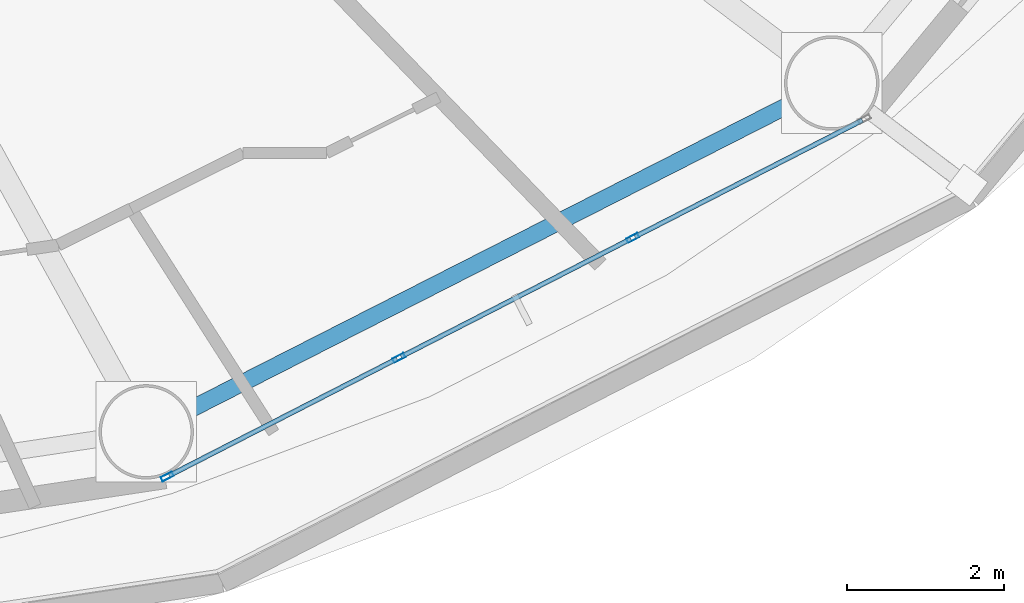
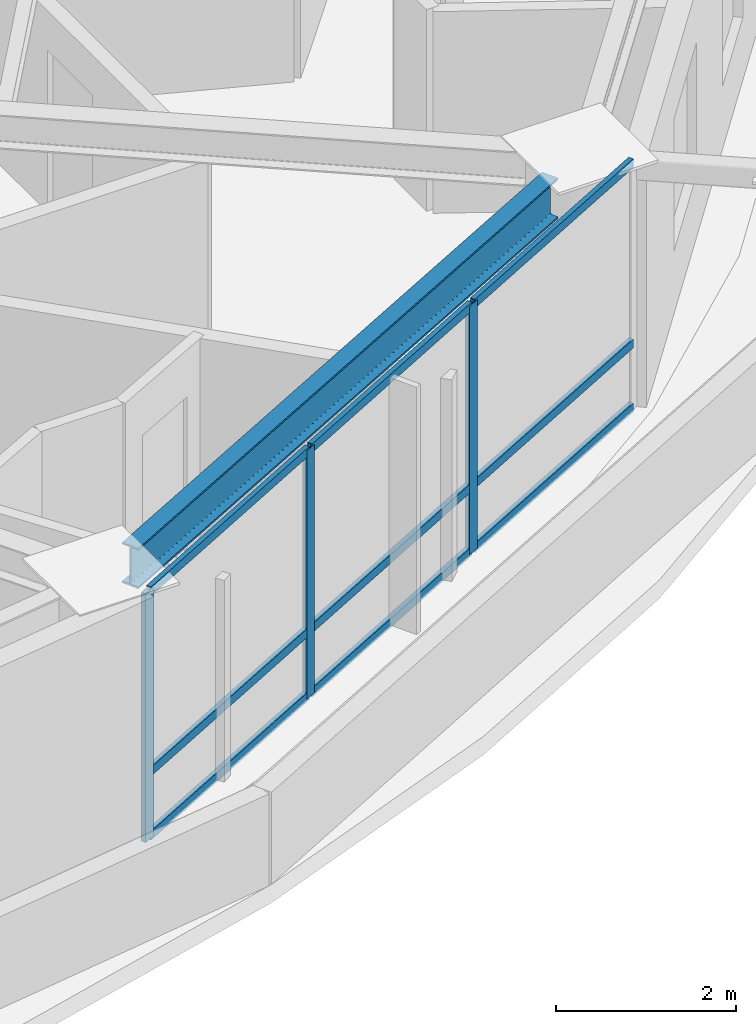
# One storey, part 5 of 27: 12 members, 1 beam, 1 element without a shape of its own.
"""IFC4 building model written with IfcOpenShell, lengths in metres."""

from ifc_helpers import new_model, si_unit, direction, frame, origin, origin_2d, place, context, subcontext, project, spatial, hollow_rectangle, i_section, extrude, material, layer, layer_set, material_profile, profile_set, type_object, element, aggregate, save


model = new_model("IFC4")

# Units and contexts
model_context = context("Model", 3, precision=1e-05, world=origin(), true_north=direction((0.0, 1.0)))
body_context = subcontext(model_context, "Body", "Model", "MODEL_VIEW")
ifc_project = project(units=[si_unit("LENGTHUNIT", "METRE"), si_unit("AREAUNIT", "SQUARE_METRE"), si_unit("VOLUMEUNIT", "CUBIC_METRE"), si_unit("PLANEANGLEUNIT", "RADIAN"), si_unit("MASSUNIT", "GRAM", prefix="KILO")], contexts=[model_context])

# Site, building, storey
site_placement = place(None, origin())
site = spatial("IfcSite", under=ifc_project, at=site_placement, CompositionType="ELEMENT")
building_placement = place(site_placement, origin())
building = spatial("IfcBuilding", under=site, at=building_placement, Name="Sarneth Arch Tower", CompositionType="ELEMENT")
storey_placement = place(building_placement, frame((0.0, 0.0, 150.60009765625)))
storey = spatial("IfcBuildingStorey", under=building, at=storey_placement, Name="L37", CompositionType="ELEMENT", Elevation=150.60009765625)

# Beam
ifc_material_1 = material(Name="Steel S355", Category="steel")
ifc_material_profile_1 = material_profile(ifc_material_1, i_section(OverallWidth=0.214111328125, OverallDepth=0.549072265625, WebThickness=0.0146484375, FlangeThickness=0.023681640625, FilletRadius=0.01806640625, at=origin_2d()), Name="W530x138")
ifc_profile_set_1 = profile_set([ifc_material_profile_1], Name="Steel S355")
beam_type = type_object("IfcBeamType", Name="BM-RAD-530A", PredefinedType="BEAM", material=ifc_profile_set_1)
beam_placement = place(storey_placement, frame((58.95654296875, 23.378662109375, 3.10546875), z_axis=(0.891250372735, 0.453511601945, 0.0), x_axis=(-0.453511601945, 0.891250372735, 0.0)))
element("IfcBeam", 1, at=beam_placement, inside=storey, type_object=beam_type, Name="L37 Perimeter spandrel beam 14", PredefinedType="BEAM", context=body_context, shape_type="SweptSolid", body=[
    extrude(i_section(OverallWidth=0.214111328125, OverallDepth=0.549072265625, WebThickness=0.0146484375, FlangeThickness=0.023681640625, FilletRadius=0.01806640625, at=origin_2d()), origin(), (0.0, 0.0, 1.0), 8.5751953125),
])

# Curtain wall, members
ifc_material_2 = material(Name="Anodised aluminium Type AA25 and solar-control low-e laminated IGU", Category="aluminium")
ifc_layer = layer(ifc_material_2, 0.169921875)
ifc_layer_set = layer_set([ifc_layer], Name="Anodised aluminium Type AA25 and solar-control low-e laminated IGU")
curtain_wall_type = type_object("IfcCurtainWallType", Name="CW-RES-MID", PredefinedType="NOTDEFINED", material=ifc_layer_set)
curtain_wall_placement = place(storey_placement, origin())
curtain_wall = element("IfcCurtainWall", 2, at=curtain_wall_placement, inside=storey, type_object=curtain_wall_type, Name="L37 Unitised curtain wall facet 14", PredefinedType="NOTDEFINED")
ifc_material_3 = material(Name="Anodised Aluminium 6063-T6", Category="aluminium")
ifc_material_profile_2 = material_profile(ifc_material_3, hollow_rectangle(XDim=0.06005859375, YDim=0.159912109375, WallThickness=0.00390625, at=origin_2d()), Name="AL-MULL-160x60x4")
ifc_profile_set_2 = profile_set([ifc_material_profile_2], Name="Anodised Aluminium 6063-T6")
member_type_1 = type_object("IfcMemberType", Name="CW-MULLION", PredefinedType="MULLION", material=ifc_profile_set_2)
member_1_placement = place(storey_placement, frame((58.689453125, 22.538330078125, 0.0), z_axis=(0.0, 0.0, 1.0), x_axis=(-0.456208470329, 0.88987293003, 0.0)))
member_1 = element("IfcMember", 3, at=member_1_placement, type_object=member_type_1, Name="CW-SYS-5 mullion 1", PredefinedType="MULLION", context=body_context, shape_type="SweptSolid", body=[
    extrude(hollow_rectangle(XDim=0.06005859375, YDim=0.159912109375, WallThickness=0.00390625, at=origin_2d()), origin(), (0.0, 0.0, 1.0), 3.3798828125),
])
member_2_placement = place(storey_placement, frame((61.634033203125, 24.0478515625, 0.0), z_axis=(0.0, 0.0, 1.0), x_axis=(-0.456208470329, 0.88987293003, 0.0)))
member_2 = element("IfcMember", 4, at=member_2_placement, type_object=member_type_1, Name="CW-SYS-5 mullion 2", PredefinedType="MULLION", context=body_context, shape_type="SweptSolid", body=[
    extrude(hollow_rectangle(XDim=0.06005859375, YDim=0.159912109375, WallThickness=0.00390625, at=origin_2d()), origin(), (0.0, 0.0, 1.0), 3.3798828125),
])
member_3_placement = place(storey_placement, frame((64.60498046875, 25.571044921875, 0.0), z_axis=(0.0, 0.0, 1.0), x_axis=(-0.456208470329, 0.88987293003, 0.0)))
member_3 = element("IfcMember", 5, at=member_3_placement, type_object=member_type_1, Name="CW-SYS-5 mullion 3", PredefinedType="MULLION", context=body_context, shape_type="SweptSolid", body=[
    extrude(hollow_rectangle(XDim=0.06005859375, YDim=0.159912109375, WallThickness=0.00390625, at=origin_2d()), origin(), (0.0, 0.0, 1.0), 3.3798828125),
])
ifc_material_4 = material(Name="Anodised Aluminium 6063-T6", Category="aluminium")
ifc_material_profile_3 = material_profile(ifc_material_4, hollow_rectangle(XDim=0.06005859375, YDim=0.1201171875, WallThickness=0.00390625, at=origin_2d()), Name="AL-TRAN-120x60x4")
ifc_profile_set_3 = profile_set([ifc_material_profile_3], Name="Anodised Aluminium 6063-T6")
member_type_2 = type_object("IfcMemberType", Name="CW-TRANSOM", PredefinedType="USERDEFINED", material=ifc_profile_set_3)
member_4_placement = place(storey_placement, frame((58.71630859375, 22.552001953125, 0.02978515625), z_axis=(0.889857362344, 0.456238835131, 0.0), x_axis=(-0.456238835131, 0.889857362344, 0.0)))
member_4 = element("IfcMember", 6, at=member_4_placement, type_object=member_type_2, Name="CW-SYS-5 transom 1.1", ObjectType="TRANSOM", PredefinedType="USERDEFINED", context=body_context, shape_type="SweptSolid", body=[
    extrude(hollow_rectangle(XDim=0.06005859375, YDim=0.1201171875, WallThickness=0.00390625, at=origin_2d()), origin(), (0.0, 0.0, 1.0), 3.248779296875),
])
member_5_placement = place(storey_placement, frame((58.71630859375, 22.552001953125, 0.89990234375), z_axis=(0.889857362344, 0.456238835131, 0.0), x_axis=(-0.456238835131, 0.889857362344, 0.0)))
member_5 = element("IfcMember", 7, at=member_5_placement, type_object=member_type_2, Name="CW-SYS-5 transom 1.2", ObjectType="TRANSOM", PredefinedType="USERDEFINED", context=body_context, shape_type="SweptSolid", body=[
    extrude(hollow_rectangle(XDim=0.06005859375, YDim=0.1201171875, WallThickness=0.00390625, at=origin_2d()), origin(), (0.0, 0.0, 1.0), 3.248779296875),
])
member_6_placement = place(storey_placement, frame((58.71630859375, 22.552001953125, 3.349853515625), z_axis=(0.889857362344, 0.456238835131, 0.0), x_axis=(-0.456238835131, 0.889857362344, 0.0)))
member_6 = element("IfcMember", 8, at=member_6_placement, type_object=member_type_2, Name="CW-SYS-5 transom 1.3", ObjectType="TRANSOM", PredefinedType="USERDEFINED", context=body_context, shape_type="SweptSolid", body=[
    extrude(hollow_rectangle(XDim=0.06005859375, YDim=0.1201171875, WallThickness=0.00390625, at=origin_2d()), origin(), (0.0, 0.0, 1.0), 3.248779296875),
])
member_7_placement = place(storey_placement, frame((61.66064453125, 24.0615234375, 0.02978515625), z_axis=(0.889869396751, 0.45621536222, 0.0), x_axis=(-0.45621536222, 0.889869396751, 0.0)))
member_7 = element("IfcMember", 9, at=member_7_placement, type_object=member_type_2, Name="CW-SYS-5 transom 2.1", ObjectType="TRANSOM", PredefinedType="USERDEFINED", context=body_context, shape_type="SweptSolid", body=[
    extrude(hollow_rectangle(XDim=0.06005859375, YDim=0.1201171875, WallThickness=0.00390625, at=origin_2d()), origin(), (0.0, 0.0, 1.0), 3.27880859375),
])
member_8_placement = place(storey_placement, frame((61.66064453125, 24.0615234375, 0.89990234375), z_axis=(0.889869396751, 0.45621536222, 0.0), x_axis=(-0.45621536222, 0.889869396751, 0.0)))
member_8 = element("IfcMember", 10, at=member_8_placement, type_object=member_type_2, Name="CW-SYS-5 transom 2.2", ObjectType="TRANSOM", PredefinedType="USERDEFINED", context=body_context, shape_type="SweptSolid", body=[
    extrude(hollow_rectangle(XDim=0.06005859375, YDim=0.1201171875, WallThickness=0.00390625, at=origin_2d()), origin(), (0.0, 0.0, 1.0), 3.27880859375),
])
member_9_placement = place(storey_placement, frame((61.66064453125, 24.0615234375, 3.349853515625), z_axis=(0.889869396751, 0.45621536222, 0.0), x_axis=(-0.45621536222, 0.889869396751, 0.0)))
member_9 = element("IfcMember", 11, at=member_9_placement, type_object=member_type_2, Name="CW-SYS-5 transom 2.3", ObjectType="TRANSOM", PredefinedType="USERDEFINED", context=body_context, shape_type="SweptSolid", body=[
    extrude(hollow_rectangle(XDim=0.06005859375, YDim=0.1201171875, WallThickness=0.00390625, at=origin_2d()), origin(), (0.0, 0.0, 1.0), 3.27880859375),
])
member_10_placement = place(storey_placement, frame((64.6318359375, 25.584716796875, 0.02978515625), z_axis=(0.889857362344, 0.456238835131, 0.0), x_axis=(-0.456238835131, 0.889857362344, 0.0)))
member_10 = element("IfcMember", 12, at=member_10_placement, type_object=member_type_2, Name="CW-SYS-5 transom 3.1", ObjectType="TRANSOM", PredefinedType="USERDEFINED", context=body_context, shape_type="SweptSolid", body=[
    extrude(hollow_rectangle(XDim=0.06005859375, YDim=0.1201171875, WallThickness=0.00390625, at=origin_2d()), origin(), (0.0, 0.0, 1.0), 3.248779296875),
])
member_11_placement = place(storey_placement, frame((64.6318359375, 25.584716796875, 0.89990234375), z_axis=(0.889857362344, 0.456238835131, 0.0), x_axis=(-0.456238835131, 0.889857362344, 0.0)))
member_11 = element("IfcMember", 13, at=member_11_placement, type_object=member_type_2, Name="CW-SYS-5 transom 3.2", ObjectType="TRANSOM", PredefinedType="USERDEFINED", context=body_context, shape_type="SweptSolid", body=[
    extrude(hollow_rectangle(XDim=0.06005859375, YDim=0.1201171875, WallThickness=0.00390625, at=origin_2d()), origin(), (0.0, 0.0, 1.0), 3.248779296875),
])
member_12_placement = place(storey_placement, frame((64.6318359375, 25.584716796875, 3.349853515625), z_axis=(0.889857362344, 0.456238835131, 0.0), x_axis=(-0.456238835131, 0.889857362344, 0.0)))
member_12 = element("IfcMember", 14, at=member_12_placement, type_object=member_type_2, Name="CW-SYS-5 transom 3.3", ObjectType="TRANSOM", PredefinedType="USERDEFINED", context=body_context, shape_type="SweptSolid", body=[
    extrude(hollow_rectangle(XDim=0.06005859375, YDim=0.1201171875, WallThickness=0.00390625, at=origin_2d()), origin(), (0.0, 0.0, 1.0), 3.248779296875),
])
aggregate(curtain_wall, [member_1, member_2, member_3, member_4, member_5, member_6, member_7, member_8, member_9, member_10, member_11, member_12])

save(model, "model.ifc")
